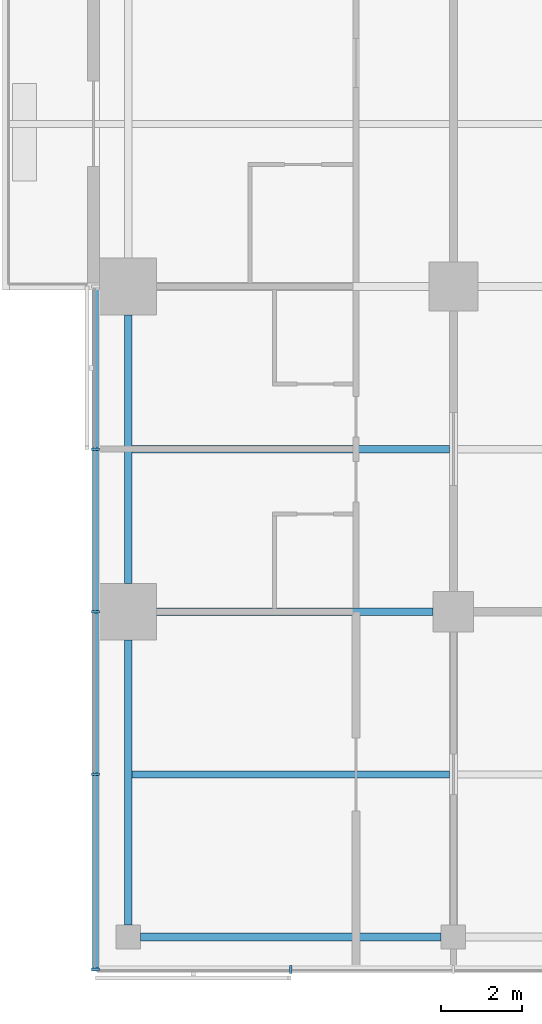
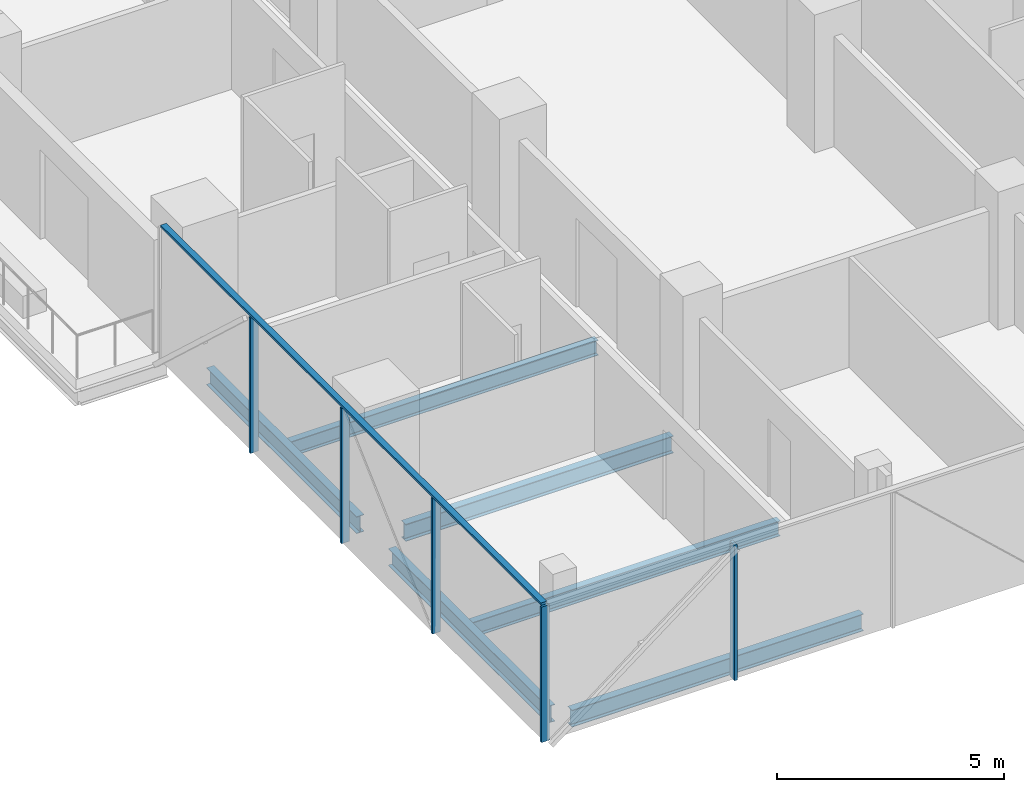
# One storey, part 2 of 27: 6 beams, 6 members, 2 elements without a shape of their own.
"""IFC4 building model written with IfcOpenShell, lengths in metres."""

from ifc_helpers import new_model, si_unit, direction, frame, origin, origin_2d, place, context, subcontext, project, spatial, rectangle, i_section, extrude, material, material_profile, profile_set, type_object, element, aggregate, save


model = new_model("IFC4")

# Units and contexts
model_context = context("Model", 3, precision=1e-05, world=origin(), true_north=direction((0.0, 1.0)))
body_context = subcontext(model_context, "Body", "Model", "MODEL_VIEW")
ifc_project = project(units=[si_unit("LENGTHUNIT", "METRE"), si_unit("AREAUNIT", "SQUARE_METRE"), si_unit("VOLUMEUNIT", "CUBIC_METRE"), si_unit("PLANEANGLEUNIT", "RADIAN"), si_unit("MASSUNIT", "GRAM", prefix="KILO")], contexts=[model_context])

# Site, building, storey
site_placement = place(None, origin())
site = spatial("IfcSite", under=ifc_project, at=site_placement, CompositionType="ELEMENT")
building_placement = place(site_placement, origin())
building = spatial("IfcBuilding", under=site, at=building_placement, Name="Crosswind Convention Tower", CompositionType="ELEMENT")
storey_placement = place(building_placement, frame((0.0, 0.0, 64.60009765625)))
storey = spatial("IfcBuildingStorey", under=building, at=storey_placement, Name="L10", CompositionType="ELEMENT", Elevation=64.60009765625)

# Beams
ifc_material_1 = material(Name="Steel S355", Category="steel")
ifc_material_profile_1 = material_profile(ifc_material_1, i_section(OverallWidth=0.1904296875, OverallDepth=0.457275390625, WebThickness=0.009033203125, FlangeThickness=0.014404296875, FilletRadius=0.01025390625, at=origin_2d()), Name="UB 457x191x75")
ifc_profile_set_1 = profile_set([ifc_material_profile_1], Name="Steel S355")
beam_type_1 = type_object("IfcBeamType", Name="Edge beam UB 457x191x75", PredefinedType="SPANDREL", material=ifc_profile_set_1)
beam_1_placement = place(storey_placement, frame((113.0, 64.300048828125, -0.5087890625), z_axis=(0.0, 1.0, 0.0), x_axis=(-1.0, 0.0, 0.0)))
element("IfcBeam", 1, at=beam_1_placement, inside=storey, type_object=beam_type_1, Name="B17 L10 edge beam 6", PredefinedType="SPANDREL", context=body_context, shape_type="SweptSolid", body=[
    extrude(i_section(OverallWidth=0.1904296875, OverallDepth=0.457275390625, WebThickness=0.009033203125, FlangeThickness=0.014404296875, FilletRadius=0.01025390625, at=origin_2d()), origin(), (0.0, 0.0, 1.0), 7.0),
])
beam_2_placement = place(storey_placement, frame((113.0, 72.699951171875, -0.5087890625), z_axis=(0.0, 1.0, 0.0), x_axis=(-1.0, 0.0, 0.0)))
element("IfcBeam", 2, at=beam_2_placement, inside=storey, type_object=beam_type_1, Name="B17 L10 edge beam 7", PredefinedType="SPANDREL", context=body_context, shape_type="SweptSolid", body=[
    extrude(i_section(OverallWidth=0.1904296875, OverallDepth=0.457275390625, WebThickness=0.009033203125, FlangeThickness=0.014404296875, FilletRadius=0.01025390625, at=origin_2d()), origin(), (0.0, 0.0, 1.0), 6.60009765625),
])
beam_3_placement = place(storey_placement, frame((113.300048828125, 64.0, -0.5087890625), z_axis=(1.0, 0.0, 0.0), x_axis=(0.0, 1.0, 0.0)))
element("IfcBeam", 3, at=beam_3_placement, inside=storey, type_object=beam_type_1, Name="B17 L10 edge beam 12", PredefinedType="SPANDREL", context=body_context, shape_type="SweptSolid", body=[
    extrude(i_section(OverallWidth=0.1904296875, OverallDepth=0.457275390625, WebThickness=0.009033203125, FlangeThickness=0.014404296875, FilletRadius=0.01025390625, at=origin_2d()), origin(), (0.0, 0.0, 1.0), 7.39990234375),
])
ifc_material_profile_2 = material_profile(ifc_material_1, i_section(OverallWidth=0.19140625, OverallDepth=0.460205078125, WebThickness=0.010009765625, FlangeThickness=0.01611328125, FilletRadius=0.01025390625, at=origin_2d()), Name="UB 457x191x82")
ifc_profile_set_2 = profile_set([ifc_material_profile_2], Name="Steel S355")
beam_type_2 = type_object("IfcBeamType", Name="Girder UB 457x191x82", PredefinedType="BEAM", material=ifc_profile_set_2)
beam_4_placement = place(storey_placement, frame((113.699951171875, 72.0, -0.51025390625), z_axis=(1.0, 0.0, 0.0), x_axis=(0.0, 1.0, 0.0)))
element("IfcBeam", 4, at=beam_4_placement, inside=storey, type_object=beam_type_2, Name="B3 L10 girder 1", PredefinedType="BEAM", context=body_context, shape_type="SweptSolid", body=[
    extrude(i_section(OverallWidth=0.19140625, OverallDepth=0.460205078125, WebThickness=0.010009765625, FlangeThickness=0.01611328125, FilletRadius=0.01025390625, at=origin_2d()), origin(), (0.0, 0.0, 1.0), 6.800048828125),
])

# Curtain wall, members
ifc_material_2 = material(Name="Aluminium unitised curtain wall", Category="aluminium")
curtain_wall_type = type_object("IfcCurtainWallType", Name="HOTEL UNITISED WALL 200", PredefinedType="USERDEFINED", material=ifc_material_2)
curtain_wall_1_placement = place(storey_placement, origin())
curtain_wall_1 = element("IfcCurtainWall", 5, at=curtain_wall_1_placement, inside=storey, type_object=curtain_wall_type, Name="CW2 L10 S-W 1", ObjectType="UNITISED", PredefinedType="USERDEFINED")
ifc_material_3 = material(Name="Aluminium mullion", Category="aluminium")
ifc_material_profile_3 = material_profile(ifc_material_3, rectangle(XDim=0.199951171875, YDim=0.06494140625, at=origin_2d()), Name="AL 200X65")
ifc_profile_set_3 = profile_set([ifc_material_profile_3], Name="Aluminium mullion")
member_type_1 = type_object("IfcMemberType", Name="MULLION 65X200", PredefinedType="MULLION", material=ifc_profile_set_3)
member_1_placement = place(storey_placement, frame((112.199951171875, 76.0, -0.280029296875), z_axis=(0.0, 0.0, 1.0), x_axis=(-1.0, 0.0, 0.0)))
member_1 = element("IfcMember", 6, at=member_1_placement, type_object=member_type_1, Name="CW2 mullion 2", PredefinedType="MULLION", context=body_context, shape_type="SweptSolid", body=[
    extrude(rectangle(XDim=0.199951171875, YDim=0.06494140625, at=origin_2d()), origin(), (0.0, 0.0, 1.0), 3.635009765625),
])
member_2_placement = place(storey_placement, frame((112.199951171875, 72.0, -0.280029296875), z_axis=(0.0, 0.0, 1.0), x_axis=(-1.0, 0.0, 0.0)))
member_2 = element("IfcMember", 7, at=member_2_placement, type_object=member_type_1, Name="CW2 mullion 3", PredefinedType="MULLION", context=body_context, shape_type="SweptSolid", body=[
    extrude(rectangle(XDim=0.199951171875, YDim=0.06494140625, at=origin_2d()), origin(), (0.0, 0.0, 1.0), 3.635009765625),
])
member_3_placement = place(storey_placement, frame((112.199951171875, 68.0, -0.280029296875), z_axis=(0.0, 0.0, 1.0), x_axis=(-1.0, 0.0, 0.0)))
member_3 = element("IfcMember", 8, at=member_3_placement, type_object=member_type_1, Name="CW2 mullion 4", PredefinedType="MULLION", context=body_context, shape_type="SweptSolid", body=[
    extrude(rectangle(XDim=0.199951171875, YDim=0.06494140625, at=origin_2d()), origin(), (0.0, 0.0, 1.0), 3.635009765625),
])
member_4_placement = place(storey_placement, frame((112.199951171875, 63.199951171875, -0.280029296875), z_axis=(0.0, 0.0, 1.0), x_axis=(-1.0, 0.0, 0.0)))
member_4 = element("IfcMember", 9, at=member_4_placement, type_object=member_type_1, Name="CW2 mullion 5", PredefinedType="MULLION", context=body_context, shape_type="SweptSolid", body=[
    extrude(rectangle(XDim=0.199951171875, YDim=0.06494140625, at=origin_2d()), origin(), (0.0, 0.0, 1.0), 3.635009765625),
])

# Curtain wall, member
curtain_wall_2_placement = place(storey_placement, origin())
curtain_wall_2 = element("IfcCurtainWall", 10, at=curtain_wall_2_placement, inside=storey, type_object=curtain_wall_type, Name="CW2 L10 S-TIP 1", ObjectType="UNITISED", PredefinedType="USERDEFINED")
member_5_placement = place(storey_placement, frame((117.0, 63.199951171875, -0.280029296875), z_axis=(0.0, 0.0, 1.0), x_axis=(0.0, -1.0, 0.0)))
member_5 = element("IfcMember", 11, at=member_5_placement, type_object=member_type_1, Name="CW2 mullion 2", PredefinedType="MULLION", context=body_context, shape_type="SweptSolid", body=[
    extrude(rectangle(XDim=0.199951171875, YDim=0.06494140625, at=origin_2d()), origin(), (0.0, 0.0, 1.0), 3.635009765625),
])
aggregate(curtain_wall_2, [member_5])

# Beams
ifc_material_profile_4 = material_profile(ifc_material_1, i_section(OverallWidth=0.177734375, OverallDepth=0.406494140625, WebThickness=0.0078125, FlangeThickness=0.0126953125, FilletRadius=0.01025390625, at=origin_2d()), Name="UB 406x178x60")
ifc_profile_set_4 = profile_set([ifc_material_profile_4], Name="Steel S355")
beam_type_3 = type_object("IfcBeamType", Name="Secondary beam UB 406x178x60", PredefinedType="JOIST", material=ifc_profile_set_4)
for number, where, z_axis, x_axis, name in (
    (12, (113.09521484375, 68.0, -0.4833984375), (1.0, 0.0, 0.0), (0.0, 1.0, 0.0), "B10 L10 secondary beam 7"),
    (13, (113.09521484375, 76.0, -0.4833984375), (1.0, 0.0, 0.0), (0.0, 1.0, 0.0), "B10 L10 secondary beam 8"),
):
    element("IfcBeam", number, at=place(storey_placement, frame(where, z_axis=z_axis, x_axis=x_axis)), inside=storey, type_object=beam_type_3, Name=name, PredefinedType="JOIST", context=body_context, shape_type="SweptSolid", body=[
        extrude(i_section(OverallWidth=0.177734375, OverallDepth=0.406494140625, WebThickness=0.0078125, FlangeThickness=0.0126953125, FilletRadius=0.01025390625, at=origin_2d()), origin(), (0.0, 0.0, 1.0), 7.80908203125),
    ])

# Member
ifc_material_4 = material(Name="Aluminium transom", Category="aluminium")
ifc_material_profile_5 = material_profile(ifc_material_4, rectangle(XDim=0.14990234375, YDim=0.06494140625, at=origin_2d()), Name="AL 150X65")
ifc_profile_set_5 = profile_set([ifc_material_profile_5], Name="Aluminium transom")
member_type_2 = type_object("IfcMemberType", Name="TRANSOM 65X150", PredefinedType="USERDEFINED", material=ifc_profile_set_5)
member_6_placement = place(storey_placement, frame((112.199951171875, 79.967529296875, 3.387451171875), z_axis=(0.0, -1.0, 0.0), x_axis=(1.0, 0.0, 0.0)))
member_6 = element("IfcMember", 14, at=member_6_placement, type_object=member_type_2, Name="CW2 transom", ObjectType="TRANSOM", PredefinedType="USERDEFINED", context=body_context, shape_type="SweptSolid", body=[
    extrude(rectangle(XDim=0.14990234375, YDim=0.06494140625, at=origin_2d()), origin(), (0.0, 0.0, 1.0), 16.735107421875),
])

aggregate(curtain_wall_1, [member_1, member_2, member_3, member_4, member_6])

save(model, "model.ifc")
